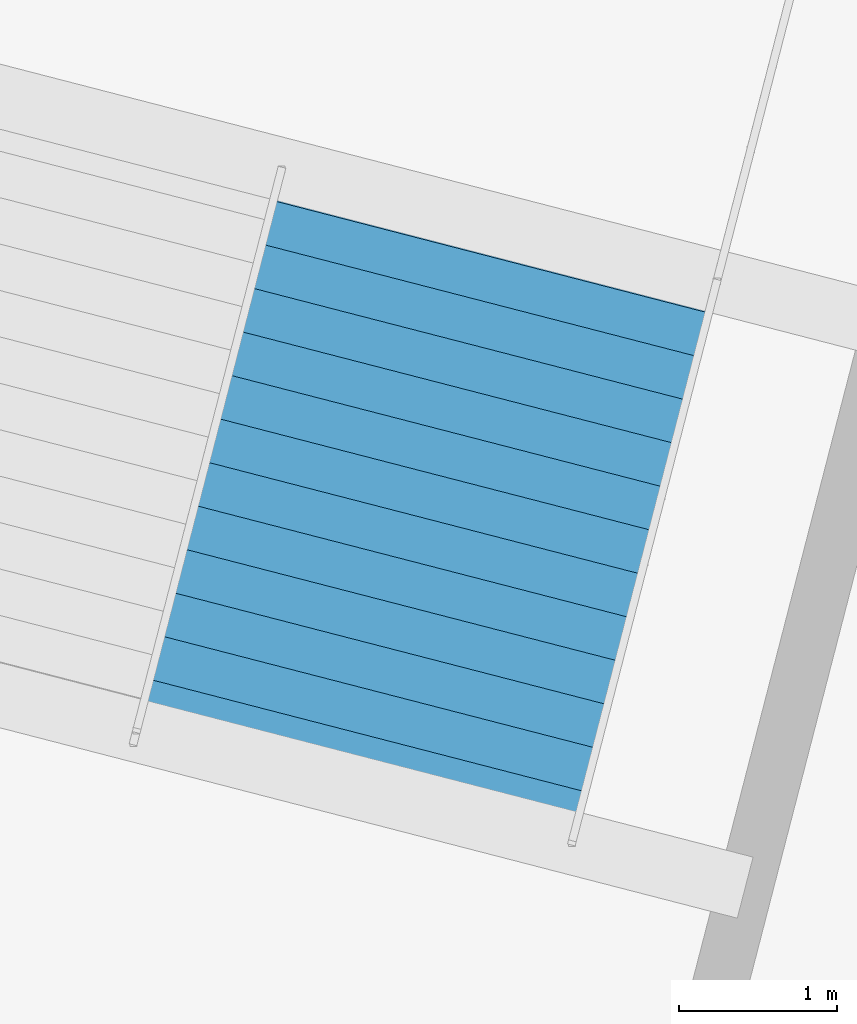
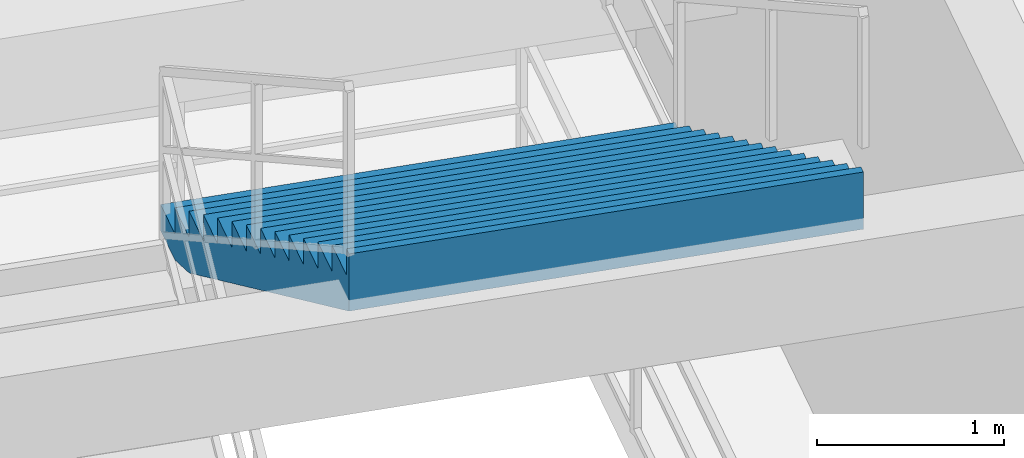
# One storey, part 151 of 171: 1 stair flight, 1 element without a shape of its own.
"""IFC4 building model written with IfcOpenShell, lengths in metres."""

import ifcopenshell
import ifcopenshell.guid

model = None  # the IFC model being written
_history = None  # IfcOwnerHistory: only IFC2X3 demands one
_inside = {}  # id of a spatial element -> (the spatial element, [elements in it])
_under = {}  # id of a project, library or spatial element -> (it, [spatial elements below it])
_declared = {}  # id of a project -> (the project, [libraries it declares])
_typed = {}  # id of a type object -> (the type object, [elements of that type])
_made_of = {}  # id of a material, layer set ... -> (it, [elements and type objects made of it])


def new_model(schema):
    """Start an empty IFC model of exactly this schema.

    Asked for "IFC4X3", IfcOpenShell would pick the latest addendum, in which some entities
    have other attributes; the version numbers below select the first issue.
    IFC2X3 requires an IfcOwnerHistory on every rooted entity: one is made here for all.
    """
    global model, _history
    if schema == "IFC4X3":
        model = ifcopenshell.file(schema_version=(4, 3, 0, 0))
    else:
        model = ifcopenshell.file(schema=schema)
    _inside.clear()
    _under.clear()
    _declared.clear()
    _typed.clear()
    _made_of.clear()
    _history = None
    if model.schema == "IFC2X3":
        org = make("IfcOrganization", Name="unknown")
        user = make(
            "IfcPersonAndOrganization",
            ThePerson=make("IfcPerson", FamilyName="unknown"),
            TheOrganization=org,
        )
        app = make(
            "IfcApplication",
            ApplicationDeveloper=org,
            Version="unknown",
            ApplicationFullName="unknown",
            ApplicationIdentifier="unknown",
        )
        _history = make(
            "IfcOwnerHistory",
            OwningUser=user,
            OwningApplication=app,
            ChangeAction="ADDED",
            CreationDate=0,
        )
    return model


def make(cls, **values):
    """One entity of the class cls with the attributes given. An attribute that is None is left unset."""
    return model.create_entity(
        cls, **{name: value for name, value in values.items() if value is not None}
    )


def rooted(cls, **values):
    """An entity with a GlobalId (a new one), such as an element, a storey or a relation."""
    return make(cls, GlobalId=ifcopenshell.guid.new(), OwnerHistory=_history, **values)


def si_unit(unit_type, name, prefix=None):
    """IfcSIUnit, for example si_unit("LENGTHUNIT", "METRE", prefix="MILLI")."""
    return make("IfcSIUnit", UnitType=unit_type, Prefix=prefix, Name=name)


def assignment(units):
    """IfcUnitAssignment: the units of a project."""
    return None if units is None else make("IfcUnitAssignment", Units=units)


def point(xyz):
    """IfcCartesianPoint."""
    return None if xyz is None else make("IfcCartesianPoint", Coordinates=xyz)


def direction(xyz):
    """IfcDirection."""
    return None if xyz is None else make("IfcDirection", DirectionRatios=xyz)


def frame(location, z_axis=None, x_axis=None):
    """IfcAxis2Placement3D, a coordinate frame: its origin and axes. An axis left out is left unset."""
    return make(
        "IfcAxis2Placement3D",
        Location=point(location),
        Axis=direction(z_axis),
        RefDirection=direction(x_axis),
    )


def origin():
    """The frame at (0, 0, 0) with its axes left unset."""
    return frame((0.0, 0.0, 0.0))


def place(relative_to, where):
    """IfcLocalPlacement: puts the frame where relative to a parent placement (None: the world)."""
    return make(
        "IfcLocalPlacement", PlacementRelTo=relative_to, RelativePlacement=where
    )


def context(
    kind, dimensions, precision=None, world=None, true_north=None, identifier=None
):
    """IfcGeometricRepresentationContext, for example the 3D "Model" context."""
    return make(
        "IfcGeometricRepresentationContext",
        ContextIdentifier=identifier,
        ContextType=kind,
        CoordinateSpaceDimension=dimensions,
        Precision=precision,
        WorldCoordinateSystem=world,
        TrueNorth=true_north,
    )


def subcontext(parent, identifier, kind, view, scale=None):
    """IfcGeometricRepresentationSubContext, for example "Body" below "Model"."""
    return make(
        "IfcGeometricRepresentationSubContext",
        ContextIdentifier=identifier,
        ContextType=kind,
        ParentContext=parent,
        TargetScale=scale,
        TargetView=view,
    )


def project(units=None, contexts=None):
    """IfcProject with its units and contexts."""
    return rooted(
        "IfcProject",
        Name="project",
        RepresentationContexts=contexts,
        UnitsInContext=assignment(units),
    )


def spatial(cls, under=None, at=None, **own):
    """A site, building, storey or space (cls), placed at a placement, below another one or the project."""
    s = rooted(cls, ObjectPlacement=at, **own)
    if under is not None:
        _under.setdefault(under.id(), (under, []))[1].append(s)
    return s


def point_list(points):
    """IfcCartesianPointList2D or 3D."""
    cls = (
        "IfcCartesianPointList2D" if len(points[0]) == 2 else "IfcCartesianPointList3D"
    )
    return make(cls, CoordList=points)


def polygons(points, faces, closed=None, point_numbers=None):
    """IfcPolygonalFaceSet: a face is its outer loop, then its inner loops; points numbered from 1."""
    made = []
    for loops in faces:
        if len(loops) == 1:
            made.append(make("IfcIndexedPolygonalFace", CoordIndex=loops[0]))
        else:
            made.append(
                make(
                    "IfcIndexedPolygonalFaceWithVoids",
                    CoordIndex=loops[0],
                    InnerCoordIndices=loops[1:],
                )
            )
    return make(
        "IfcPolygonalFaceSet",
        Coordinates=point_list(points),
        Closed=closed,
        Faces=made,
        PnIndex=point_numbers,
    )


def shape(context_of_items, identifier, shape_type, items):
    """IfcShapeRepresentation: the items that make up one representation, for example the "Body"."""
    return make(
        "IfcShapeRepresentation",
        ContextOfItems=context_of_items,
        RepresentationIdentifier=identifier,
        RepresentationType=shape_type,
        Items=items,
    )


def material(Name=None, Category=None):
    """IfcMaterial."""
    return make("IfcMaterial", Name=Name, Category=Category)


def made_of(thing, what):
    """Note that an element or type object is made of a material, layer set ...; save() writes the relation."""
    if what is not None:
        _made_of.setdefault(what.id(), (what, []))[1].append(thing)
    return thing


def type_object(cls, material=None, **own):
    """A type object (cls), such as IfcWallType, which elements share."""
    return made_of(rooted(cls, **own), material)


def element(
    cls,
    number,
    at=None,
    inside=None,
    cuts=None,
    type_object=None,
    material=None,
    context=None,
    identifier="Body",
    shape_type=None,
    held_by="IfcProductDefinitionShape",
    body=None,
    shapes=None,
    **own,
):
    """One element of the class cls, such as IfcWall. Its Tag is "e" and its number.

    at: its placement. inside: the storey or other place that contains it. cuts: it is an
    opening in that element (IfcRelVoidsElement). A single representation is given by context,
    identifier, shape_type and body (its items); several are given by shapes. held_by: the class
    of the entity that holds the representations. save() writes the other relations.
    """
    e = rooted(cls, Tag="e%d" % number, ObjectPlacement=at, **own)
    if body is not None:
        shapes = [shape(context, identifier, shape_type, body)]
    if shapes is not None:
        e.Representation = make(held_by, Representations=shapes)
    if inside is not None:
        _inside.setdefault(inside.id(), (inside, []))[1].append(e)
    if cuts is not None:
        rooted(
            "IfcRelVoidsElement", RelatingBuildingElement=cuts, RelatedOpeningElement=e
        )
    if type_object is not None:
        _typed.setdefault(type_object.id(), (type_object, []))[1].append(e)
    return made_of(e, material)


def aggregate(whole, parts):
    """IfcRelAggregates: a whole, such as a stair, and the parts it consists of."""
    return rooted("IfcRelAggregates", RelatingObject=whole, RelatedObjects=parts)


def save(model, path):
    """Write the relations noted so far, then the file.

    IfcRelAggregates (storeys below a building ...), IfcRelContainedInSpatialStructure (elements
    in a storey), IfcRelDefinesByType, IfcRelAssociatesMaterial and IfcRelDeclares: one each for
    every whole, place, type object, material and project.
    """
    for whole, parts in _under.values():
        aggregate(whole, parts)
    for where, things in _inside.values():
        rooted(
            "IfcRelContainedInSpatialStructure",
            RelatedElements=things,
            RelatingStructure=where,
        )
    for kind, things in _typed.values():
        rooted("IfcRelDefinesByType", RelatedObjects=things, RelatingType=kind)
    for what, things in _made_of.values():
        rooted("IfcRelAssociatesMaterial", RelatedObjects=things, RelatingMaterial=what)
    for by, libraries in _declared.values():
        rooted("IfcRelDeclares", RelatingContext=by, RelatedDefinitions=libraries)
    model.write(path)


model = new_model("IFC4")

# Units and contexts
model_context = context("Model", 3, precision=1e-05, world=origin(), true_north=direction((0.0, 1.0)))
body_context = subcontext(model_context, "Body", "Model", "MODEL_VIEW")
ifc_project = project(units=[si_unit("LENGTHUNIT", "METRE"), si_unit("AREAUNIT", "SQUARE_METRE"), si_unit("VOLUMEUNIT", "CUBIC_METRE"), si_unit("PLANEANGLEUNIT", "RADIAN"), si_unit("MASSUNIT", "GRAM", prefix="KILO")], contexts=[model_context])

# Site, building, storey
site_placement = place(None, origin())
site = spatial("IfcSite", under=ifc_project, at=site_placement, CompositionType="ELEMENT")
building_placement = place(site_placement, origin())
building = spatial("IfcBuilding", under=site, at=building_placement, Name="Kazemori Nagisa Stadium", CompositionType="ELEMENT")
storey_placement = place(building_placement, frame((0.0, 0.0, 15.639892578125)))
storey = spatial("IfcBuildingStorey", under=building, at=storey_placement, Name="L03", CompositionType="ELEMENT", Elevation=15.639892578125)

# Stair, stair flight
ifc_material = material(Name="Concrete C36/45 (Fc36)", Category="concrete")
stair_type = type_object("IfcStairType", Name="Stair_CORE_28", PredefinedType="TWO_STRAIGHT_RUN_STAIR", material=ifc_material)
stair_placement = place(storey_placement, origin())
stair = element("IfcStair", 1, at=stair_placement, inside=storey, type_object=stair_type, Name="Exit stair ST10 L03", PredefinedType="TWO_STRAIGHT_RUN_STAIR")
stair_flight_type = type_object("IfcStairFlightType", Name="Flight_CORE_14", PredefinedType="STRAIGHT", material=ifc_material)
stair_flight_placement = place(storey_placement, frame((208.78662109375, 72.983642578125, 2.380126953125), z_axis=(0.0, 0.0, 1.0), x_axis=(-0.249939799109, -0.968261378359, 0.0)))
stair_flight = element("IfcStairFlight", 2, at=stair_flight_placement, type_object=stair_flight_type, Name="Exit stair ST10 L03 flight 2", NumberOfRisers=14, NumberOfTreads=13, PredefinedType="STRAIGHT", RiserHeight=0.17, TreadLength=0.285, context=body_context, shape_type="Tessellation", body=[
    polygons([(0.0, -1.425048828125, 0.0), (0.0, -1.425048828125, 0.169921875), (0.284912109375, -1.425048828125, 0.169921875), (0.284912109375, -1.425048828125, 0.340087890625), (0.570068359375, -1.425048828125, 0.340087890625), (0.570068359375, -1.425048828125, 0.510009765625), (0.85498046875, -1.425048828125, 0.510009765625), (0.85498046875, -1.425048828125, 0.679931640625), (1.139892578125, -1.425048828125, 0.679931640625), (1.139892578125, -1.425048828125, 0.85009765625), (1.425048828125, -1.425048828125, 0.85009765625), (1.425048828125, -1.425048828125, 1.02001953125), (1.7099609375, -1.425048828125, 1.02001953125), (1.7099609375, -1.425048828125, 1.18994140625), (1.9951171875, -1.425048828125, 1.18994140625), (1.9951171875, -1.425048828125, 1.360107421875), (2.280029296875, -1.425048828125, 1.360107421875), (2.280029296875, -1.425048828125, 1.530029296875), (2.56494140625, -1.425048828125, 1.530029296875), (2.56494140625, -1.425048828125, 1.699951171875), (2.85009765625, -1.425048828125, 1.699951171875), (2.85009765625, -1.425048828125, 1.8701171875), (3.135009765625, -1.425048828125, 1.8701171875), (3.135009765625, -1.425048828125, 2.0400390625), (3.419921875, -1.425048828125, 2.0400390625), (3.419921875, -1.425048828125, 2.2099609375), (3.705078125, -1.425048828125, 2.2099609375), (3.705078125, -1.425048828125, 2.3798828125), (3.7548828125, -1.425048828125, 2.3798828125), (3.7548828125, -1.425048828125, 2.007080078125), (3.705078125, -1.425048828125, 1.977294921875), (3.419921875, -1.425048828125, 1.80712890625), (3.135009765625, -1.425048828125, 1.63720703125), (2.85009765625, -1.425048828125, 1.46728515625), (2.56494140625, -1.425048828125, 1.297119140625), (2.280029296875, -1.425048828125, 1.127197265625), (1.9951171875, -1.425048828125, 0.957275390625), (1.7099609375, -1.425048828125, 0.787109375), (1.425048828125, -1.425048828125, 0.6171875), (1.139892578125, -1.425048828125, 0.447265625), (0.85498046875, -1.425048828125, 0.277099609375), (0.570068359375, -1.425048828125, 0.107177734375), (0.284912109375, -1.425048828125, 0.0), (0.0, -0.08544921875, 0.0), (0.0, -0.08544921875, 0.169921875), (0.284912109375, -0.08544921875, 0.169921875), (0.284912109375, -0.08544921875, 0.340087890625), (0.570068359375, -0.08544921875, 0.340087890625), (0.570068359375, -0.08544921875, 0.510009765625), (0.85498046875, -0.08544921875, 0.510009765625), (0.85498046875, -0.08544921875, 0.679931640625), (1.139892578125, -0.08544921875, 0.679931640625), (1.139892578125, -0.08544921875, 0.85009765625), (1.425048828125, -0.08544921875, 0.85009765625), (1.425048828125, -0.08544921875, 1.02001953125), (1.7099609375, -0.08544921875, 1.02001953125), (1.7099609375, -0.08544921875, 1.18994140625), (1.9951171875, -0.08544921875, 1.18994140625), (1.9951171875, -0.08544921875, 1.360107421875), (2.280029296875, -0.08544921875, 1.360107421875), (2.280029296875, -0.08544921875, 1.530029296875), (2.56494140625, -0.08544921875, 1.530029296875), (2.56494140625, -0.08544921875, 1.699951171875), (2.85009765625, -0.08544921875, 1.699951171875), (2.85009765625, -0.08544921875, 1.8701171875), (3.135009765625, -0.08544921875, 1.8701171875), (3.135009765625, -0.08544921875, 2.0400390625), (3.419921875, -0.08544921875, 2.0400390625), (3.419921875, -0.08544921875, 2.2099609375), (3.705078125, -0.08544921875, 2.2099609375), (3.705078125, -0.08544921875, 2.3798828125), (3.7548828125, -0.08544921875, 2.3798828125), (3.7548828125, -0.08544921875, 2.007080078125), (3.705078125, -0.08544921875, 1.977294921875), (3.419921875, -0.08544921875, 1.80712890625), (3.135009765625, -0.08544921875, 1.63720703125), (2.85009765625, -0.08544921875, 1.46728515625), (2.56494140625, -0.08544921875, 1.297119140625), (2.280029296875, -0.08544921875, 1.127197265625), (1.9951171875, -0.08544921875, 0.957275390625), (1.7099609375, -0.08544921875, 0.787109375), (1.425048828125, -0.08544921875, 0.6171875), (1.139892578125, -0.08544921875, 0.447265625), (0.85498046875, -0.08544921875, 0.277099609375), (0.570068359375, -0.08544921875, 0.107177734375), (0.284912109375, -0.08544921875, 0.0), (0.0, 0.0, 0.0), (0.0, 0.0, 0.169921875), (0.284912109375, 0.0, 0.169921875), (0.284912109375, 0.0, 0.340087890625), (0.570068359375, 0.0, 0.340087890625), (0.570068359375, 0.0, 0.510009765625), (0.85498046875, 0.0, 0.510009765625), (0.85498046875, 0.0, 0.679931640625), (1.139892578125, 0.0, 0.679931640625), (1.139892578125, 0.0, 0.85009765625), (1.425048828125, 0.0, 0.85009765625), (1.425048828125, 0.0, 1.02001953125), (1.7099609375, 0.0, 1.02001953125), (1.7099609375, 0.0, 1.18994140625), (1.9951171875, 0.0, 1.18994140625), (1.9951171875, 0.0, 1.360107421875), (2.280029296875, 0.0, 1.360107421875), (2.280029296875, 0.0, 1.530029296875), (2.56494140625, 0.0, 1.530029296875), (2.56494140625, 0.0, 1.699951171875), (2.85009765625, 0.0, 1.699951171875), (2.85009765625, 0.0, 1.8701171875), (3.135009765625, 0.0, 1.8701171875), (3.135009765625, 0.0, 2.0400390625), (3.419921875, 0.0, 2.0400390625), (3.419921875, 0.0, 2.2099609375), (3.705078125, 0.0, 2.2099609375), (3.705078125, 0.0, 2.3798828125), (3.7548828125, 0.0, 2.3798828125), (3.7548828125, 0.0, 2.007080078125), (3.705078125, 0.0, 1.977294921875), (3.419921875, 0.0, 1.80712890625), (3.135009765625, 0.0, 1.63720703125), (2.85009765625, 0.0, 1.46728515625), (2.56494140625, 0.0, 1.297119140625), (2.280029296875, 0.0, 1.127197265625), (1.9951171875, 0.0, 0.957275390625), (1.7099609375, 0.0, 0.787109375), (1.425048828125, 0.0, 0.6171875), (1.139892578125, 0.0, 0.447265625), (0.85498046875, 0.0, 0.277099609375), (0.570068359375, 0.0, 0.107177734375), (0.284912109375, 0.0, 0.0), (0.0, 0.08544921875, 0.0), (0.0, 0.08544921875, 0.169921875), (0.284912109375, 0.08544921875, 0.169921875), (0.284912109375, 0.08544921875, 0.340087890625), (0.570068359375, 0.08544921875, 0.340087890625), (0.570068359375, 0.08544921875, 0.510009765625), (0.85498046875, 0.08544921875, 0.510009765625), (0.85498046875, 0.08544921875, 0.679931640625), (1.139892578125, 0.08544921875, 0.679931640625), (1.139892578125, 0.08544921875, 0.85009765625), (1.425048828125, 0.08544921875, 0.85009765625), (1.425048828125, 0.08544921875, 1.02001953125), (1.7099609375, 0.08544921875, 1.02001953125), (1.7099609375, 0.08544921875, 1.18994140625), (1.9951171875, 0.08544921875, 1.18994140625), (1.9951171875, 0.08544921875, 1.360107421875), (2.280029296875, 0.08544921875, 1.360107421875), (2.280029296875, 0.08544921875, 1.530029296875), (2.56494140625, 0.08544921875, 1.530029296875), (2.56494140625, 0.08544921875, 1.699951171875), (2.85009765625, 0.08544921875, 1.699951171875), (2.85009765625, 0.08544921875, 1.8701171875), (3.135009765625, 0.08544921875, 1.8701171875), (3.135009765625, 0.08544921875, 2.0400390625), (3.419921875, 0.08544921875, 2.0400390625), (3.419921875, 0.08544921875, 2.2099609375), (3.705078125, 0.08544921875, 2.2099609375), (3.705078125, 0.08544921875, 2.3798828125), (3.7548828125, 0.08544921875, 2.3798828125), (3.7548828125, 0.08544921875, 2.007080078125), (3.705078125, 0.08544921875, 1.977294921875), (3.419921875, 0.08544921875, 1.80712890625), (3.135009765625, 0.08544921875, 1.63720703125), (2.85009765625, 0.08544921875, 1.46728515625), (2.56494140625, 0.08544921875, 1.297119140625), (2.280029296875, 0.08544921875, 1.127197265625), (1.9951171875, 0.08544921875, 0.957275390625), (1.7099609375, 0.08544921875, 0.787109375), (1.425048828125, 0.08544921875, 0.6171875), (1.139892578125, 0.08544921875, 0.447265625), (0.85498046875, 0.08544921875, 0.277099609375), (0.570068359375, 0.08544921875, 0.107177734375), (0.284912109375, 0.08544921875, 0.0), (0.0, 1.425048828125, 0.0), (0.0, 1.425048828125, 0.169921875), (0.284912109375, 1.425048828125, 0.169921875), (0.284912109375, 1.425048828125, 0.340087890625), (0.570068359375, 1.425048828125, 0.340087890625), (0.570068359375, 1.425048828125, 0.510009765625), (0.85498046875, 1.425048828125, 0.510009765625), (0.85498046875, 1.425048828125, 0.679931640625), (1.139892578125, 1.425048828125, 0.679931640625), (1.139892578125, 1.425048828125, 0.85009765625), (1.425048828125, 1.425048828125, 0.85009765625), (1.425048828125, 1.425048828125, 1.02001953125), (1.7099609375, 1.425048828125, 1.02001953125), (1.7099609375, 1.425048828125, 1.18994140625), (1.9951171875, 1.425048828125, 1.18994140625), (1.9951171875, 1.425048828125, 1.360107421875), (2.280029296875, 1.425048828125, 1.360107421875), (2.280029296875, 1.425048828125, 1.530029296875), (2.56494140625, 1.425048828125, 1.530029296875), (2.56494140625, 1.425048828125, 1.699951171875), (2.85009765625, 1.425048828125, 1.699951171875), (2.85009765625, 1.425048828125, 1.8701171875), (3.135009765625, 1.425048828125, 1.8701171875), (3.135009765625, 1.425048828125, 2.0400390625), (3.419921875, 1.425048828125, 2.0400390625), (3.419921875, 1.425048828125, 2.2099609375), (3.705078125, 1.425048828125, 2.2099609375), (3.705078125, 1.425048828125, 2.3798828125), (3.7548828125, 1.425048828125, 2.3798828125), (3.7548828125, 1.425048828125, 2.007080078125), (3.705078125, 1.425048828125, 1.977294921875), (3.419921875, 1.425048828125, 1.80712890625), (3.135009765625, 1.425048828125, 1.63720703125), (2.85009765625, 1.425048828125, 1.46728515625), (2.56494140625, 1.425048828125, 1.297119140625), (2.280029296875, 1.425048828125, 1.127197265625), (1.9951171875, 1.425048828125, 0.957275390625), (1.7099609375, 1.425048828125, 0.787109375), (1.425048828125, 1.425048828125, 0.6171875), (1.139892578125, 1.425048828125, 0.447265625), (0.85498046875, 1.425048828125, 0.277099609375), (0.570068359375, 1.425048828125, 0.107177734375), (0.284912109375, 1.425048828125, 0.0)], [[[1, 2, 45]], [[1, 45, 44]], [[2, 3, 46]], [[2, 46, 45]], [[3, 4, 47]], [[3, 47, 46]], [[4, 5, 48]], [[4, 48, 47]], [[5, 6, 49]], [[5, 49, 48]], [[6, 7, 50]], [[6, 50, 49]], [[7, 8, 51]], [[7, 51, 50]], [[8, 9, 52]], [[8, 52, 51]], [[9, 10, 53]], [[9, 53, 52]], [[10, 11, 54]], [[10, 54, 53]], [[11, 12, 55]], [[11, 55, 54]], [[12, 13, 56]], [[12, 56, 55]], [[13, 14, 57]], [[13, 57, 56]], [[14, 15, 58]], [[14, 58, 57]], [[15, 16, 59]], [[15, 59, 58]], [[16, 17, 60]], [[16, 60, 59]], [[17, 18, 61]], [[17, 61, 60]], [[18, 19, 62]], [[18, 62, 61]], [[19, 20, 63]], [[19, 63, 62]], [[20, 21, 64]], [[20, 64, 63]], [[21, 22, 65]], [[21, 65, 64]], [[22, 23, 66]], [[22, 66, 65]], [[23, 24, 67]], [[23, 67, 66]], [[24, 25, 68]], [[24, 68, 67]], [[25, 26, 69]], [[25, 69, 68]], [[26, 27, 70]], [[26, 70, 69]], [[27, 28, 71]], [[27, 71, 70]], [[28, 29, 72]], [[28, 72, 71]], [[29, 30, 73]], [[29, 73, 72]], [[30, 31, 74]], [[30, 74, 73]], [[31, 32, 75]], [[31, 75, 74]], [[32, 33, 76]], [[32, 76, 75]], [[33, 34, 77]], [[33, 77, 76]], [[34, 35, 78]], [[34, 78, 77]], [[35, 36, 79]], [[35, 79, 78]], [[36, 37, 80]], [[36, 80, 79]], [[37, 38, 81]], [[37, 81, 80]], [[38, 39, 82]], [[38, 82, 81]], [[39, 40, 83]], [[39, 83, 82]], [[40, 41, 84]], [[40, 84, 83]], [[41, 42, 85]], [[41, 85, 84]], [[42, 43, 86]], [[42, 86, 85]], [[43, 1, 44]], [[43, 44, 86]], [[44, 45, 88]], [[44, 88, 87]], [[45, 46, 89]], [[45, 89, 88]], [[46, 47, 90]], [[46, 90, 89]], [[47, 48, 91]], [[47, 91, 90]], [[48, 49, 92]], [[48, 92, 91]], [[49, 50, 93]], [[49, 93, 92]], [[50, 51, 94]], [[50, 94, 93]], [[51, 52, 95]], [[51, 95, 94]], [[52, 53, 96]], [[52, 96, 95]], [[53, 54, 97]], [[53, 97, 96]], [[54, 55, 98]], [[54, 98, 97]], [[55, 56, 99]], [[55, 99, 98]], [[56, 57, 100]], [[56, 100, 99]], [[57, 58, 101]], [[57, 101, 100]], [[58, 59, 102]], [[58, 102, 101]], [[59, 60, 103]], [[59, 103, 102]], [[60, 61, 104]], [[60, 104, 103]], [[61, 62, 105]], [[61, 105, 104]], [[62, 63, 106]], [[62, 106, 105]], [[63, 64, 107]], [[63, 107, 106]], [[64, 65, 108]], [[64, 108, 107]], [[65, 66, 109]], [[65, 109, 108]], [[66, 67, 110]], [[66, 110, 109]], [[67, 68, 111]], [[67, 111, 110]], [[68, 69, 112]], [[68, 112, 111]], [[69, 70, 113]], [[69, 113, 112]], [[70, 71, 114]], [[70, 114, 113]], [[71, 72, 115]], [[71, 115, 114]], [[72, 73, 116]], [[72, 116, 115]], [[73, 74, 117]], [[73, 117, 116]], [[74, 75, 118]], [[74, 118, 117]], [[75, 76, 119]], [[75, 119, 118]], [[76, 77, 120]], [[76, 120, 119]], [[77, 78, 121]], [[77, 121, 120]], [[78, 79, 122]], [[78, 122, 121]], [[79, 80, 123]], [[79, 123, 122]], [[80, 81, 124]], [[80, 124, 123]], [[81, 82, 125]], [[81, 125, 124]], [[82, 83, 126]], [[82, 126, 125]], [[83, 84, 127]], [[83, 127, 126]], [[84, 85, 128]], [[84, 128, 127]], [[85, 86, 129]], [[85, 129, 128]], [[86, 44, 87]], [[86, 87, 129]], [[87, 88, 131]], [[87, 131, 130]], [[88, 89, 132]], [[88, 132, 131]], [[89, 90, 133]], [[89, 133, 132]], [[90, 91, 134]], [[90, 134, 133]], [[91, 92, 135]], [[91, 135, 134]], [[92, 93, 136]], [[92, 136, 135]], [[93, 94, 137]], [[93, 137, 136]], [[94, 95, 138]], [[94, 138, 137]], [[95, 96, 139]], [[95, 139, 138]], [[96, 97, 140]], [[96, 140, 139]], [[97, 98, 141]], [[97, 141, 140]], [[98, 99, 142]], [[98, 142, 141]], [[99, 100, 143]], [[99, 143, 142]], [[100, 101, 144]], [[100, 144, 143]], [[101, 102, 145]], [[101, 145, 144]], [[102, 103, 146]], [[102, 146, 145]], [[103, 104, 147]], [[103, 147, 146]], [[104, 105, 148]], [[104, 148, 147]], [[105, 106, 149]], [[105, 149, 148]], [[106, 107, 150]], [[106, 150, 149]], [[107, 108, 151]], [[107, 151, 150]], [[108, 109, 152]], [[108, 152, 151]], [[109, 110, 153]], [[109, 153, 152]], [[110, 111, 154]], [[110, 154, 153]], [[111, 112, 155]], [[111, 155, 154]], [[112, 113, 156]], [[112, 156, 155]], [[113, 114, 157]], [[113, 157, 156]], [[114, 115, 158]], [[114, 158, 157]], [[115, 116, 159]], [[115, 159, 158]], [[116, 117, 160]], [[116, 160, 159]], [[117, 118, 161]], [[117, 161, 160]], [[118, 119, 162]], [[118, 162, 161]], [[119, 120, 163]], [[119, 163, 162]], [[120, 121, 164]], [[120, 164, 163]], [[121, 122, 165]], [[121, 165, 164]], [[122, 123, 166]], [[122, 166, 165]], [[123, 124, 167]], [[123, 167, 166]], [[124, 125, 168]], [[124, 168, 167]], [[125, 126, 169]], [[125, 169, 168]], [[126, 127, 170]], [[126, 170, 169]], [[127, 128, 171]], [[127, 171, 170]], [[128, 129, 172]], [[128, 172, 171]], [[129, 87, 130]], [[129, 130, 172]], [[130, 131, 174]], [[130, 174, 173]], [[131, 132, 175]], [[131, 175, 174]], [[132, 133, 176]], [[132, 176, 175]], [[133, 134, 177]], [[133, 177, 176]], [[134, 135, 178]], [[134, 178, 177]], [[135, 136, 179]], [[135, 179, 178]], [[136, 137, 180]], [[136, 180, 179]], [[137, 138, 181]], [[137, 181, 180]], [[138, 139, 182]], [[138, 182, 181]], [[139, 140, 183]], [[139, 183, 182]], [[140, 141, 184]], [[140, 184, 183]], [[141, 142, 185]], [[141, 185, 184]], [[142, 143, 186]], [[142, 186, 185]], [[143, 144, 187]], [[143, 187, 186]], [[144, 145, 188]], [[144, 188, 187]], [[145, 146, 189]], [[145, 189, 188]], [[146, 147, 190]], [[146, 190, 189]], [[147, 148, 191]], [[147, 191, 190]], [[148, 149, 192]], [[148, 192, 191]], [[149, 150, 193]], [[149, 193, 192]], [[150, 151, 194]], [[150, 194, 193]], [[151, 152, 195]], [[151, 195, 194]], [[152, 153, 196]], [[152, 196, 195]], [[153, 154, 197]], [[153, 197, 196]], [[154, 155, 198]], [[154, 198, 197]], [[155, 156, 199]], [[155, 199, 198]], [[156, 157, 200]], [[156, 200, 199]], [[157, 158, 201]], [[157, 201, 200]], [[158, 159, 202]], [[158, 202, 201]], [[159, 160, 203]], [[159, 203, 202]], [[160, 161, 204]], [[160, 204, 203]], [[161, 162, 205]], [[161, 205, 204]], [[162, 163, 206]], [[162, 206, 205]], [[163, 164, 207]], [[163, 207, 206]], [[164, 165, 208]], [[164, 208, 207]], [[165, 166, 209]], [[165, 209, 208]], [[166, 167, 210]], [[166, 210, 209]], [[167, 168, 211]], [[167, 211, 210]], [[168, 169, 212]], [[168, 212, 211]], [[169, 170, 213]], [[169, 213, 212]], [[170, 171, 214]], [[170, 214, 213]], [[171, 172, 215]], [[171, 215, 214]], [[172, 130, 173]], [[172, 173, 215]], [[3, 2, 1]], [[173, 174, 175]], [[43, 3, 1]], [[173, 175, 215]], [[42, 3, 43]], [[215, 175, 214]], [[5, 3, 42]], [[214, 175, 177]], [[5, 4, 3]], [[175, 176, 177]], [[41, 5, 42]], [[214, 177, 213]], [[7, 5, 41]], [[213, 177, 179]], [[7, 6, 5]], [[177, 178, 179]], [[40, 7, 41]], [[213, 179, 212]], [[9, 7, 40]], [[212, 179, 181]], [[9, 8, 7]], [[179, 180, 181]], [[39, 9, 40]], [[212, 181, 211]], [[11, 9, 39]], [[211, 181, 183]], [[11, 10, 9]], [[181, 182, 183]], [[38, 11, 39]], [[211, 183, 210]], [[13, 11, 38]], [[210, 183, 185]], [[13, 12, 11]], [[183, 184, 185]], [[37, 13, 38]], [[210, 185, 209]], [[15, 13, 37]], [[209, 185, 187]], [[15, 14, 13]], [[185, 186, 187]], [[36, 15, 37]], [[209, 187, 208]], [[17, 15, 36]], [[208, 187, 189]], [[17, 16, 15]], [[187, 188, 189]], [[35, 17, 36]], [[208, 189, 207]], [[19, 17, 35]], [[207, 189, 191]], [[19, 18, 17]], [[189, 190, 191]], [[34, 19, 35]], [[207, 191, 206]], [[21, 19, 34]], [[206, 191, 193]], [[21, 20, 19]], [[191, 192, 193]], [[33, 21, 34]], [[206, 193, 205]], [[23, 21, 33]], [[205, 193, 195]], [[23, 22, 21]], [[193, 194, 195]], [[32, 23, 33]], [[205, 195, 204]], [[25, 23, 32]], [[204, 195, 197]], [[25, 24, 23]], [[195, 196, 197]], [[31, 25, 32]], [[204, 197, 203]], [[27, 25, 31]], [[203, 197, 199]], [[27, 26, 25]], [[197, 198, 199]], [[30, 27, 31]], [[203, 199, 202]], [[29, 27, 30]], [[202, 199, 201]], [[29, 28, 27]], [[199, 200, 201]]], closed=True),
])
aggregate(stair, [stair_flight])

save(model, "model.ifc")
